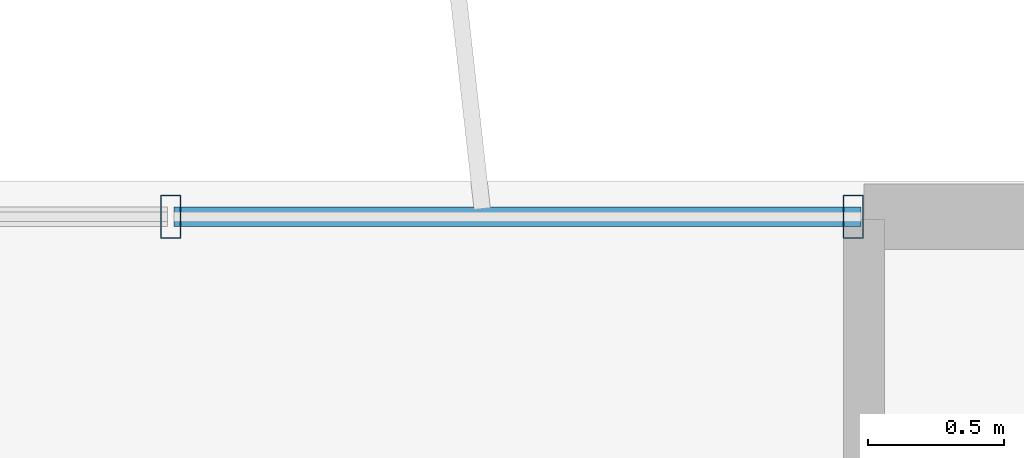
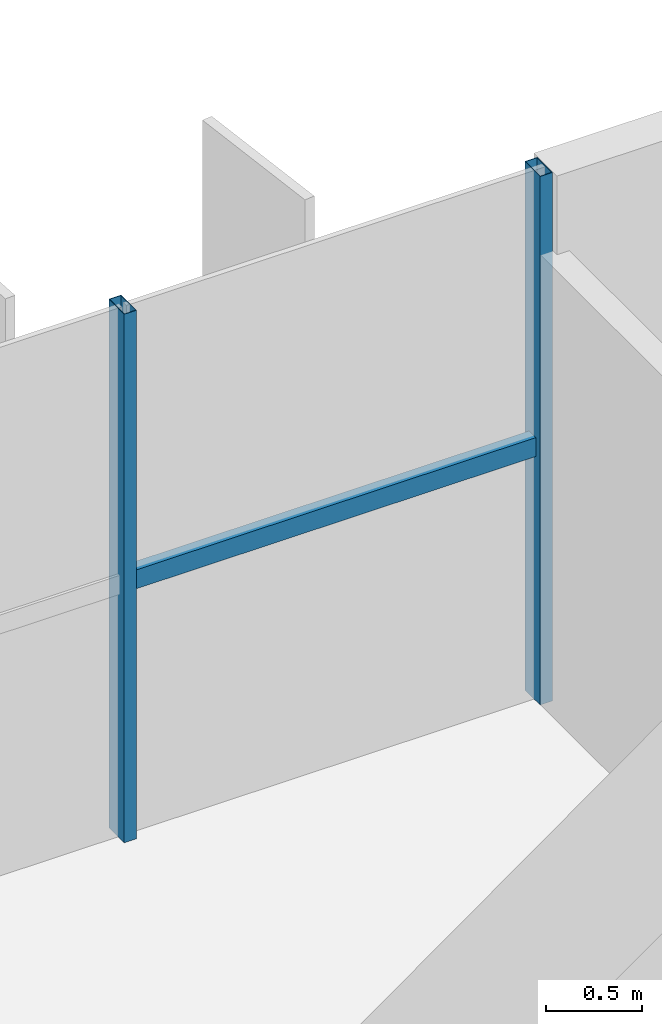
# One storey, part 25 of 35: 3 members, 1 element without a shape of its own.
"""IFC4 building model written with IfcOpenShell, lengths in metres."""

from ifc_helpers import new_model, si_unit, direction, frame, origin, origin_2d, place, context, subcontext, project, spatial, hollow_rectangle, extrude, source, transform, mapped, material, material_profile, profile_set, type_object, element, aggregate, save


model = new_model("IFC4")

# Units and contexts
model_context = context("Model", 3, precision=1e-05, world=origin(), true_north=direction((0.0, 1.0)))
body_context = subcontext(model_context, "Body", "Model", "MODEL_VIEW")
ifc_project = project(units=[si_unit("LENGTHUNIT", "METRE"), si_unit("AREAUNIT", "SQUARE_METRE"), si_unit("VOLUMEUNIT", "CUBIC_METRE"), si_unit("PLANEANGLEUNIT", "RADIAN"), si_unit("MASSUNIT", "GRAM", prefix="KILO")], contexts=[model_context])

# Site, building, storey
site_placement = place(None, origin())
site = spatial("IfcSite", under=ifc_project, at=site_placement, CompositionType="ELEMENT")
building_placement = place(site_placement, origin())
building = spatial("IfcBuilding", under=site, at=building_placement, Name="Trelvane Seafront Commons", CompositionType="ELEMENT")
storey_placement = place(building_placement, frame((0.0, 0.0, 194.10009765625)))
storey = spatial("IfcBuildingStorey", under=building, at=storey_placement, Name="L50", CompositionType="ELEMENT", Elevation=194.10009765625)

# Curtain wall, members
ifc_material = material(Name="Anodised pale-silver aluminium", Category="aluminium")
curtain_wall_type = type_object("IfcCurtainWallType", Name="ARCH-CW5-UPTOWER", PredefinedType="NOTDEFINED", material=ifc_material)
curtain_wall_placement = place(storey_placement, origin())
curtain_wall = element("IfcCurtainWall", 1, at=curtain_wall_placement, inside=storey, type_object=curtain_wall_type, Name="CW-L50-0078", PredefinedType="NOTDEFINED")
ifc_material_profile_1 = material_profile(ifc_material, hollow_rectangle(XDim=0.070068359375, YDim=0.1201171875, WallThickness=0.00390625, at=origin_2d()), Name="TRAN-70x120x4")
ifc_profile_set_1 = profile_set([ifc_material_profile_1], Name="Anodised pale-silver aluminium")
member_type_1 = type_object("IfcMemberType", Name="ARCH-CW-TRAN-120", PredefinedType="USERDEFINED", material=ifc_profile_set_1)
shared_shape_1 = source(origin(), body_context, "Body", "SweptSolid", [
    extrude(hollow_rectangle(XDim=0.070068359375, YDim=0.1201171875, WallThickness=0.00390625, at=origin_2d()), origin(), (0.0, 0.0, 1.0), 2.517333984375),
])
member_1_placement = place(storey_placement, frame((56.270751953125, 48.3701171875, 1.61279296875), z_axis=(1.0, 0.0, 0.0), x_axis=(0.0, 1.0, 0.0)))
member_1 = element("IfcMember", 2, at=member_1_placement, type_object=member_type_1, Name="CW-L50-0078-T16", ObjectType="TRANSOM", PredefinedType="USERDEFINED", context=body_context, shape_type="MappedRepresentation", body=[
    mapped(shared_shape_1, transform((0.0, 0.0, 0.0), x_axis=(1.0, 0.0, 0.0), y_axis=(0.0, 1.0, 0.0), z_axis=(0.0, 0.0, 1.0), scale=1.0)),
])
ifc_material_profile_2 = material_profile(ifc_material, hollow_rectangle(XDim=0.074951171875, YDim=0.159912109375, WallThickness=0.00390625, at=origin_2d()), Name="MULL-75x160x4")
ifc_profile_set_2 = profile_set([ifc_material_profile_2], Name="Anodised pale-silver aluminium")
member_type_2 = type_object("IfcMemberType", Name="ARCH-CW-MULL-160", PredefinedType="MULLION", material=ifc_profile_set_2)
shared_shape_2 = source(origin(), body_context, "Body", "SweptSolid", [
    extrude(hollow_rectangle(XDim=0.074951171875, YDim=0.159912109375, WallThickness=0.00390625, at=origin_2d()), origin(), (0.0, 0.0, 1.0), 3.35986328125),
])
member_2_placement = place(storey_placement, frame((56.2587890625, 48.3701171875, 0.0), z_axis=(0.0, 0.0, 1.0), x_axis=(1.0, 0.0, 0.0)))
member_2 = element("IfcMember", 3, at=member_2_placement, type_object=member_type_2, Name="CW-L50-0078-M16", PredefinedType="MULLION", context=body_context, shape_type="MappedRepresentation", body=[
    mapped(shared_shape_2, transform((0.0, 0.0, 0.0), x_axis=(1.0, 0.0, 0.0), y_axis=(0.0, 1.0, 0.0), z_axis=(0.0, 0.0, 1.0), scale=1.0)),
])
member_3_placement = place(storey_placement, frame((58.760009765625, 48.3701171875, 0.0), z_axis=(0.0, 0.0, 1.0), x_axis=(1.0, 0.0, 0.0)))
member_3 = element("IfcMember", 4, at=member_3_placement, type_object=member_type_2, Name="CW-L50-0078-M17", PredefinedType="MULLION", context=body_context, shape_type="MappedRepresentation", body=[
    mapped(shared_shape_2, transform((0.0, 0.0, 0.0), x_axis=(1.0, 0.0, 0.0), y_axis=(0.0, 1.0, 0.0), z_axis=(0.0, 0.0, 1.0), scale=1.0)),
])
aggregate(curtain_wall, [member_2, member_3, member_1])

save(model, "model.ifc")
